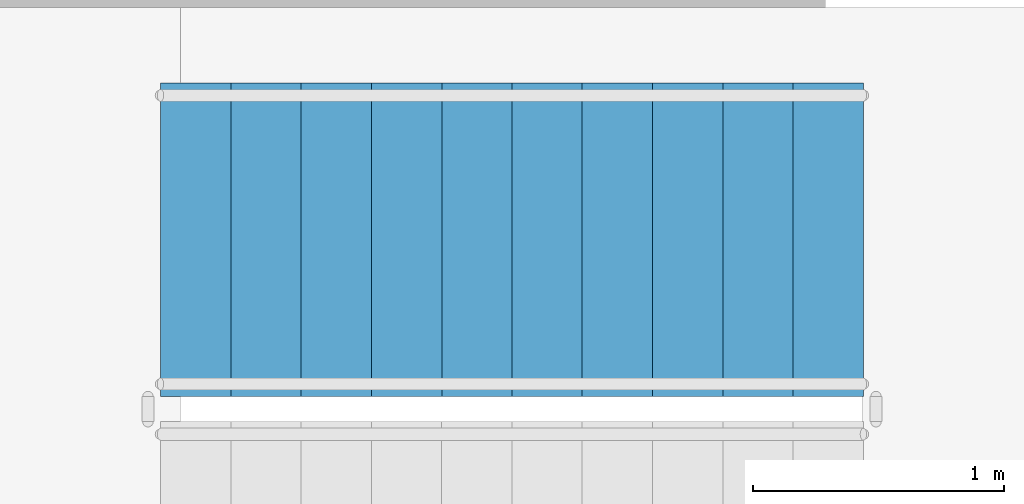
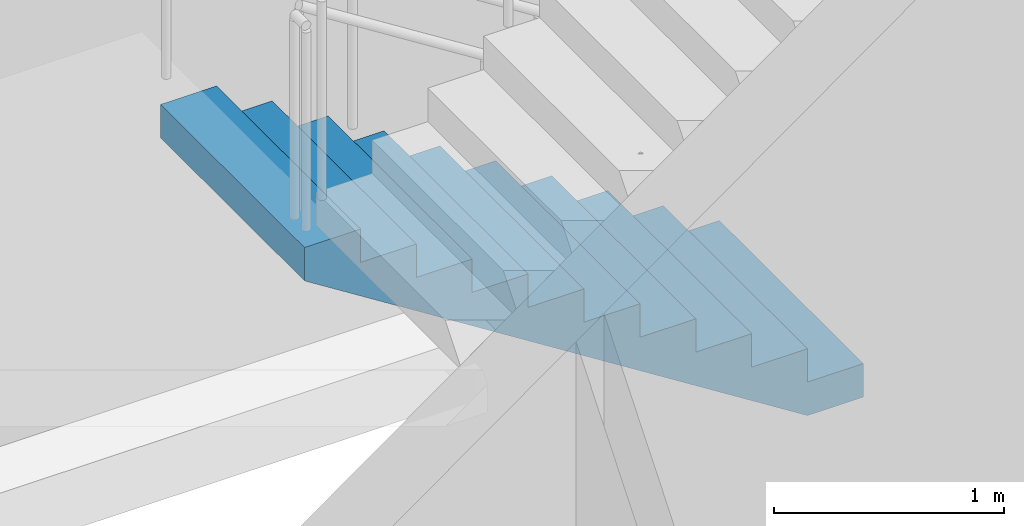
# One storey, part 13 of 15: 1 stair flight, 1 element without a shape of its own.
"""IFC4 building model written with IfcOpenShell, lengths in metres."""

import ifcopenshell
import ifcopenshell.guid

model = None  # the IFC model being written
_history = None  # IfcOwnerHistory: only IFC2X3 demands one
_inside = {}  # id of a spatial element -> (the spatial element, [elements in it])
_under = {}  # id of a project, library or spatial element -> (it, [spatial elements below it])
_declared = {}  # id of a project -> (the project, [libraries it declares])
_typed = {}  # id of a type object -> (the type object, [elements of that type])
_made_of = {}  # id of a material, layer set ... -> (it, [elements and type objects made of it])


def new_model(schema):
    """Start an empty IFC model of exactly this schema.

    Asked for "IFC4X3", IfcOpenShell would pick the latest addendum, in which some entities
    have other attributes; the version numbers below select the first issue.
    IFC2X3 requires an IfcOwnerHistory on every rooted entity: one is made here for all.
    """
    global model, _history
    if schema == "IFC4X3":
        model = ifcopenshell.file(schema_version=(4, 3, 0, 0))
    else:
        model = ifcopenshell.file(schema=schema)
    _inside.clear()
    _under.clear()
    _declared.clear()
    _typed.clear()
    _made_of.clear()
    _history = None
    if model.schema == "IFC2X3":
        org = make("IfcOrganization", Name="unknown")
        user = make(
            "IfcPersonAndOrganization",
            ThePerson=make("IfcPerson", FamilyName="unknown"),
            TheOrganization=org,
        )
        app = make(
            "IfcApplication",
            ApplicationDeveloper=org,
            Version="unknown",
            ApplicationFullName="unknown",
            ApplicationIdentifier="unknown",
        )
        _history = make(
            "IfcOwnerHistory",
            OwningUser=user,
            OwningApplication=app,
            ChangeAction="ADDED",
            CreationDate=0,
        )
    return model


def make(cls, **values):
    """One entity of the class cls with the attributes given. An attribute that is None is left unset."""
    return model.create_entity(
        cls, **{name: value for name, value in values.items() if value is not None}
    )


def rooted(cls, **values):
    """An entity with a GlobalId (a new one), such as an element, a storey or a relation."""
    return make(cls, GlobalId=ifcopenshell.guid.new(), OwnerHistory=_history, **values)


def si_unit(unit_type, name, prefix=None):
    """IfcSIUnit, for example si_unit("LENGTHUNIT", "METRE", prefix="MILLI")."""
    return make("IfcSIUnit", UnitType=unit_type, Prefix=prefix, Name=name)


def assignment(units):
    """IfcUnitAssignment: the units of a project."""
    return None if units is None else make("IfcUnitAssignment", Units=units)


def point(xyz):
    """IfcCartesianPoint."""
    return None if xyz is None else make("IfcCartesianPoint", Coordinates=xyz)


def direction(xyz):
    """IfcDirection."""
    return None if xyz is None else make("IfcDirection", DirectionRatios=xyz)


def frame(location, z_axis=None, x_axis=None):
    """IfcAxis2Placement3D, a coordinate frame: its origin and axes. An axis left out is left unset."""
    return make(
        "IfcAxis2Placement3D",
        Location=point(location),
        Axis=direction(z_axis),
        RefDirection=direction(x_axis),
    )


def origin():
    """The frame at (0, 0, 0) with its axes left unset."""
    return frame((0.0, 0.0, 0.0))


def place(relative_to, where):
    """IfcLocalPlacement: puts the frame where relative to a parent placement (None: the world)."""
    return make(
        "IfcLocalPlacement", PlacementRelTo=relative_to, RelativePlacement=where
    )


def context(
    kind, dimensions, precision=None, world=None, true_north=None, identifier=None
):
    """IfcGeometricRepresentationContext, for example the 3D "Model" context."""
    return make(
        "IfcGeometricRepresentationContext",
        ContextIdentifier=identifier,
        ContextType=kind,
        CoordinateSpaceDimension=dimensions,
        Precision=precision,
        WorldCoordinateSystem=world,
        TrueNorth=true_north,
    )


def subcontext(parent, identifier, kind, view, scale=None):
    """IfcGeometricRepresentationSubContext, for example "Body" below "Model"."""
    return make(
        "IfcGeometricRepresentationSubContext",
        ContextIdentifier=identifier,
        ContextType=kind,
        ParentContext=parent,
        TargetScale=scale,
        TargetView=view,
    )


def project(units=None, contexts=None):
    """IfcProject with its units and contexts."""
    return rooted(
        "IfcProject",
        Name="project",
        RepresentationContexts=contexts,
        UnitsInContext=assignment(units),
    )


def spatial(cls, under=None, at=None, **own):
    """A site, building, storey or space (cls), placed at a placement, below another one or the project."""
    s = rooted(cls, ObjectPlacement=at, **own)
    if under is not None:
        _under.setdefault(under.id(), (under, []))[1].append(s)
    return s


def point_list(points):
    """IfcCartesianPointList2D or 3D."""
    cls = (
        "IfcCartesianPointList2D" if len(points[0]) == 2 else "IfcCartesianPointList3D"
    )
    return make(cls, CoordList=points)


def line(*indices):
    """IfcLineIndex: a straight run through numbered points of an indexed curve."""
    return model.create_entity("IfcLineIndex", indices)


def indexed_curve(points, segments=None, self_intersect=None):
    """IfcIndexedPolyCurve: lines and arcs through numbered points (the first is 1)."""
    return make(
        "IfcIndexedPolyCurve",
        Points=point_list(points),
        Segments=segments,
        SelfIntersect=self_intersect,
    )


def outline(outer, holes=None, kind="AREA"):
    """IfcArbitraryClosedProfileDef: a profile drawn as a closed curve; with holes, ...WithVoids."""
    if holes is None:
        return make("IfcArbitraryClosedProfileDef", ProfileType=kind, OuterCurve=outer)
    return make(
        "IfcArbitraryProfileDefWithVoids",
        ProfileType=kind,
        OuterCurve=outer,
        InnerCurves=holes,
    )


def extrude(swept, where, along, depth):
    """IfcExtrudedAreaSolid: the profile swept, set in the frame where, extruded along a direction by depth."""
    return make(
        "IfcExtrudedAreaSolid",
        SweptArea=swept,
        Position=where,
        ExtrudedDirection=direction(along),
        Depth=depth,
    )


def shape(context_of_items, identifier, shape_type, items):
    """IfcShapeRepresentation: the items that make up one representation, for example the "Body"."""
    return make(
        "IfcShapeRepresentation",
        ContextOfItems=context_of_items,
        RepresentationIdentifier=identifier,
        RepresentationType=shape_type,
        Items=items,
    )


def material(Name=None, Category=None):
    """IfcMaterial."""
    return make("IfcMaterial", Name=Name, Category=Category)


def made_of(thing, what):
    """Note that an element or type object is made of a material, layer set ...; save() writes the relation."""
    if what is not None:
        _made_of.setdefault(what.id(), (what, []))[1].append(thing)
    return thing


def type_object(cls, material=None, **own):
    """A type object (cls), such as IfcWallType, which elements share."""
    return made_of(rooted(cls, **own), material)


def element(
    cls,
    number,
    at=None,
    inside=None,
    cuts=None,
    type_object=None,
    material=None,
    context=None,
    identifier="Body",
    shape_type=None,
    held_by="IfcProductDefinitionShape",
    body=None,
    shapes=None,
    **own,
):
    """One element of the class cls, such as IfcWall. Its Tag is "e" and its number.

    at: its placement. inside: the storey or other place that contains it. cuts: it is an
    opening in that element (IfcRelVoidsElement). A single representation is given by context,
    identifier, shape_type and body (its items); several are given by shapes. held_by: the class
    of the entity that holds the representations. save() writes the other relations.
    """
    e = rooted(cls, Tag="e%d" % number, ObjectPlacement=at, **own)
    if body is not None:
        shapes = [shape(context, identifier, shape_type, body)]
    if shapes is not None:
        e.Representation = make(held_by, Representations=shapes)
    if inside is not None:
        _inside.setdefault(inside.id(), (inside, []))[1].append(e)
    if cuts is not None:
        rooted(
            "IfcRelVoidsElement", RelatingBuildingElement=cuts, RelatedOpeningElement=e
        )
    if type_object is not None:
        _typed.setdefault(type_object.id(), (type_object, []))[1].append(e)
    return made_of(e, material)


def aggregate(whole, parts):
    """IfcRelAggregates: a whole, such as a stair, and the parts it consists of."""
    return rooted("IfcRelAggregates", RelatingObject=whole, RelatedObjects=parts)


def save(model, path):
    """Write the relations noted so far, then the file.

    IfcRelAggregates (storeys below a building ...), IfcRelContainedInSpatialStructure (elements
    in a storey), IfcRelDefinesByType, IfcRelAssociatesMaterial and IfcRelDeclares: one each for
    every whole, place, type object, material and project.
    """
    for whole, parts in _under.values():
        aggregate(whole, parts)
    for where, things in _inside.values():
        rooted(
            "IfcRelContainedInSpatialStructure",
            RelatedElements=things,
            RelatingStructure=where,
        )
    for kind, things in _typed.values():
        rooted("IfcRelDefinesByType", RelatedObjects=things, RelatingType=kind)
    for what, things in _made_of.values():
        rooted("IfcRelAssociatesMaterial", RelatedObjects=things, RelatingMaterial=what)
    for by, libraries in _declared.values():
        rooted("IfcRelDeclares", RelatingContext=by, RelatedDefinitions=libraries)
    model.write(path)


model = new_model("IFC4")

# Units and contexts
model_context = context("Model", 3, precision=1e-05, world=origin(), true_north=direction((0.0, 1.0)))
body_context = subcontext(model_context, "Body", "Model", "MODEL_VIEW")
ifc_project = project(units=[si_unit("LENGTHUNIT", "METRE"), si_unit("AREAUNIT", "SQUARE_METRE"), si_unit("VOLUMEUNIT", "CUBIC_METRE"), si_unit("PLANEANGLEUNIT", "RADIAN"), si_unit("MASSUNIT", "GRAM", prefix="KILO")], contexts=[model_context])

# Site, building, storey
site_placement = place(None, origin())
site = spatial("IfcSite", under=ifc_project, at=site_placement, CompositionType="ELEMENT")
building_placement = place(site_placement, origin())
building = spatial("IfcBuilding", under=site, at=building_placement, Name="Spindrift Exchange Tower", CompositionType="ELEMENT")
storey_placement = place(building_placement, frame((0.0, 0.0, 195.5)))
storey = spatial("IfcBuildingStorey", under=building, at=storey_placement, Name="L47", CompositionType="ELEMENT", Elevation=195.5)

# Stair, stair flight
ifc_material = material(Name="Concrete 50 MPa", Category="concrete")
stair_type = type_object("IfcStairType", Name="ST-1250-R177", PredefinedType="HALF_TURN_STAIR", material=ifc_material)
stair_placement = place(storey_placement, origin())
stair = element("IfcStair", 1, at=stair_placement, inside=storey, type_object=stair_type, Name="L47 Exit stair ST1", PredefinedType="HALF_TURN_STAIR")
stair_flight_type = type_object("IfcStairFlightType", Name="STF-1250-R177", PredefinedType="STRAIGHT", material=ifc_material)
stair_flight_placement = place(storey_placement, frame((49.050048828125, 54.47509765625, 0.0), z_axis=(0.0, 0.0, 1.0), x_axis=(-1.0, 0.0, 0.0)))
stair_flight = element("IfcStairFlight", 2, at=stair_flight_placement, type_object=stair_flight_type, Name="ST1 flight 1", NumberOfRisers=11, NumberOfTreads=10, PredefinedType="STRAIGHT", RiserHeight=0.177272727, TreadLength=0.28, context=body_context, shape_type="SweptSolid", body=[
    extrude(outline(indexed_curve([(0.0, 0.0), (0.0, 0.177734375), (0.2802734375, 0.177734375), (0.2802734375, 0.3544921875), (0.5595703125, 0.3544921875), (0.5595703125, 0.5322265625), (0.83984375, 0.5322265625), (0.83984375, 0.708984375), (1.1201171875, 0.708984375), (1.1201171875, 0.88671875), (1.400390625, 0.88671875), (1.400390625, 1.0634765625), (1.6796875, 1.0634765625), (1.6796875, 1.2412109375), (1.9599609375, 1.2412109375), (1.9599609375, 1.41796875), (2.240234375, 1.41796875), (2.240234375, 1.595703125), (2.51953125, 1.595703125), (2.51953125, 1.7724609375), (2.7998046875, 1.7724609375), (2.7998046875, 1.9501953125), (2.7998046875, 1.595703125), (0.2802734375, 0.0)], segments=[line(1, 2, 3, 4, 5, 6, 7, 8, 9, 10, 11, 12, 13, 14, 15, 16, 17, 18, 19, 20, 21, 22, 23, 24, 1)], self_intersect=False)), frame((0.0, 0.625, 0.0), z_axis=(0.0, -1.0, 0.0), x_axis=(1.0, 0.0, 0.0)), (0.0, 0.0, 1.0), 1.25),
])
aggregate(stair, [stair_flight])

save(model, "model.ifc")
